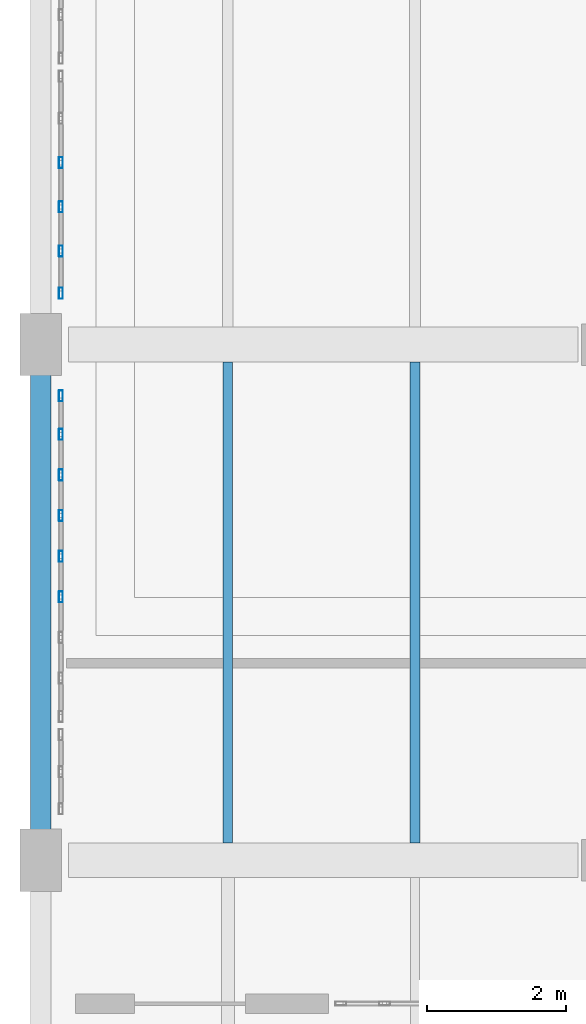
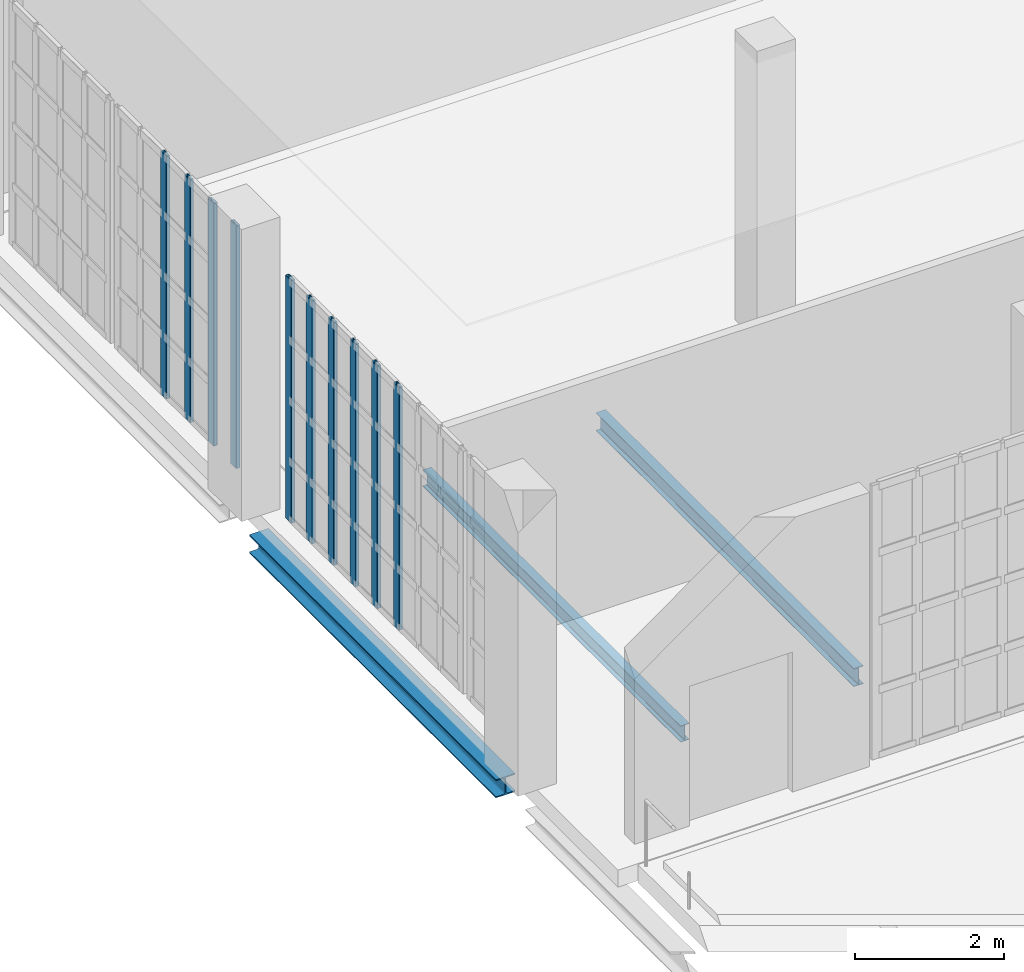
# One storey, part 17 of 104: 10 members, 3 beams, 2 elements without a shape of their own.
"""IFC4 building model written with IfcOpenShell, lengths in metres."""

from ifc_helpers import new_model, si_unit, direction, frame, origin, origin_2d, place, context, subcontext, project, spatial, hollow_rectangle, i_section, extrude, material, material_profile, profile_set, type_object, element, aggregate, save


model = new_model("IFC4")

# Units and contexts
model_context = context("Model", 3, precision=1e-05, world=origin(), true_north=direction((0.0, 1.0)))
body_context = subcontext(model_context, "Body", "Model", "MODEL_VIEW")
ifc_project = project(units=[si_unit("LENGTHUNIT", "METRE"), si_unit("AREAUNIT", "SQUARE_METRE"), si_unit("VOLUMEUNIT", "CUBIC_METRE"), si_unit("PLANEANGLEUNIT", "RADIAN"), si_unit("MASSUNIT", "GRAM", prefix="KILO")], contexts=[model_context])

# Site, building, storey
site_placement = place(None, origin())
site = spatial("IfcSite", under=ifc_project, at=site_placement, CompositionType="ELEMENT")
building_placement = place(site_placement, origin())
building = spatial("IfcBuilding", under=site, at=building_placement, Name="Kaelora Sail Theatre", CompositionType="ELEMENT")
storey_placement = place(building_placement, frame((0.0, 0.0, 5.39990234375)))
storey = spatial("IfcBuildingStorey", under=building, at=storey_placement, Name="L01", CompositionType="ELEMENT", Elevation=5.39990234375)

# Curtain wall, members
ifc_material_1 = material(Name="Anodised aluminium and solar-control low-E IGU", Category="aluminium")
curtain_wall_type = type_object("IfcCurtainWallType", Name="ARC-CW-CW-PROW", PredefinedType="NOTDEFINED", material=ifc_material_1)
curtain_wall_1_placement = place(storey_placement, origin())
curtain_wall_1 = element("IfcCurtainWall", 1, at=curtain_wall_1_placement, inside=storey, type_object=curtain_wall_type, Name="Glazed Colonnade/Courtyard Curtain Wall FW1-W-L01-02", PredefinedType="NOTDEFINED")
ifc_material_2 = material(Name="Anodised aluminium 6063-T6", Category="aluminium")
ifc_material_profile_1 = material_profile(ifc_material_2, hollow_rectangle(XDim=0.06005859375, YDim=0.159912109375, WallThickness=0.00390625, InnerFilletRadius=0.00390625, OuterFilletRadius=0.008056640625, at=origin_2d()), Name="ALU-MULL 60x160x4")
ifc_profile_set_1 = profile_set([ifc_material_profile_1], Name="Anodised aluminium 6063-T6")
member_type = type_object("IfcMemberType", Name="ARC-MEM-ML-160", PredefinedType="MULLION", material=ifc_profile_set_1)
member_1_placement = place(storey_placement, frame((1.7900390625, 72.2587890625, 0.0), z_axis=(0.0, 0.0, 1.0), x_axis=(-1.0, 0.0, 0.0)))
member_1 = element("IfcMember", 2, at=member_1_placement, type_object=member_type, Name="CW-PROW mullion 4", PredefinedType="MULLION", context=body_context, shape_type="SweptSolid", body=[
    extrude(hollow_rectangle(XDim=0.06005859375, YDim=0.159912109375, WallThickness=0.00390625, InnerFilletRadius=0.00390625, OuterFilletRadius=0.008056640625, at=origin_2d()), origin(), (0.0, 0.0, 1.0), 3.987060546875),
])
member_2_placement = place(storey_placement, frame((1.7900390625, 72.844970703125, 0.0), z_axis=(0.0, 0.0, 1.0), x_axis=(-1.0, 0.0, 0.0)))
member_2 = element("IfcMember", 3, at=member_2_placement, type_object=member_type, Name="CW-PROW mullion 5", PredefinedType="MULLION", context=body_context, shape_type="SweptSolid", body=[
    extrude(hollow_rectangle(XDim=0.06005859375, YDim=0.159912109375, WallThickness=0.00390625, InnerFilletRadius=0.00390625, OuterFilletRadius=0.008056640625, at=origin_2d()), origin(), (0.0, 0.0, 1.0), 3.987060546875),
])
member_3_placement = place(storey_placement, frame((1.7900390625, 73.43115234375, 0.0), z_axis=(0.0, 0.0, 1.0), x_axis=(-1.0, 0.0, 0.0)))
member_3 = element("IfcMember", 4, at=member_3_placement, type_object=member_type, Name="CW-PROW mullion 6", PredefinedType="MULLION", context=body_context, shape_type="SweptSolid", body=[
    extrude(hollow_rectangle(XDim=0.06005859375, YDim=0.159912109375, WallThickness=0.00390625, InnerFilletRadius=0.00390625, OuterFilletRadius=0.008056640625, at=origin_2d()), origin(), (0.0, 0.0, 1.0), 3.987060546875),
])
member_4_placement = place(storey_placement, frame((1.7900390625, 74.017578125, 0.0), z_axis=(0.0, 0.0, 1.0), x_axis=(-1.0, 0.0, 0.0)))
member_4 = element("IfcMember", 5, at=member_4_placement, type_object=member_type, Name="CW-PROW mullion 7", PredefinedType="MULLION", context=body_context, shape_type="SweptSolid", body=[
    extrude(hollow_rectangle(XDim=0.06005859375, YDim=0.159912109375, WallThickness=0.00390625, InnerFilletRadius=0.00390625, OuterFilletRadius=0.008056640625, at=origin_2d()), origin(), (0.0, 0.0, 1.0), 3.987060546875),
])
member_5_placement = place(storey_placement, frame((1.7900390625, 74.603759765625, 0.0), z_axis=(0.0, 0.0, 1.0), x_axis=(-1.0, 0.0, 0.0)))
member_5 = element("IfcMember", 6, at=member_5_placement, type_object=member_type, Name="CW-PROW mullion 8", PredefinedType="MULLION", context=body_context, shape_type="SweptSolid", body=[
    extrude(hollow_rectangle(XDim=0.06005859375, YDim=0.159912109375, WallThickness=0.00390625, InnerFilletRadius=0.00390625, OuterFilletRadius=0.008056640625, at=origin_2d()), origin(), (0.0, 0.0, 1.0), 3.987060546875),
])
member_6_placement = place(storey_placement, frame((1.7900390625, 75.159912109375, 0.0), z_axis=(0.0, 0.0, 1.0), x_axis=(-1.0, 0.0, 0.0)))
member_6 = element("IfcMember", 7, at=member_6_placement, type_object=member_type, Name="CW-PROW mullion 9", PredefinedType="MULLION", context=body_context, shape_type="SweptSolid", body=[
    extrude(hollow_rectangle(XDim=0.06005859375, YDim=0.159912109375, WallThickness=0.00390625, InnerFilletRadius=0.00390625, OuterFilletRadius=0.008056640625, at=origin_2d()), origin(), (0.0, 0.0, 1.0), 3.987060546875),
])
aggregate(curtain_wall_1, [member_1, member_2, member_3, member_4, member_5, member_6])

curtain_wall_2_placement = place(storey_placement, origin())
curtain_wall_2 = element("IfcCurtainWall", 8, at=curtain_wall_2_placement, inside=storey, type_object=curtain_wall_type, Name="Glazed Colonnade/Courtyard Curtain Wall FW1-W-L01-03", PredefinedType="NOTDEFINED")
member_7_placement = place(storey_placement, frame((1.7900390625, 76.639892578125, 0.0), z_axis=(0.0, 0.0, 1.0), x_axis=(-1.0, 0.0, 0.0)))
member_7 = element("IfcMember", 9, at=member_7_placement, type_object=member_type, Name="CW-PROW mullion 1", PredefinedType="MULLION", context=body_context, shape_type="SweptSolid", body=[
    extrude(hollow_rectangle(XDim=0.06005859375, YDim=0.159912109375, WallThickness=0.00390625, InnerFilletRadius=0.00390625, OuterFilletRadius=0.008056640625, at=origin_2d()), origin(), (0.0, 0.0, 1.0), 3.987060546875),
])
member_8_placement = place(storey_placement, frame((1.7900390625, 77.248046875, 0.0), z_axis=(0.0, 0.0, 1.0), x_axis=(-1.0, 0.0, 0.0)))
member_8 = element("IfcMember", 10, at=member_8_placement, type_object=member_type, Name="CW-PROW mullion 2", PredefinedType="MULLION", context=body_context, shape_type="SweptSolid", body=[
    extrude(hollow_rectangle(XDim=0.06005859375, YDim=0.159912109375, WallThickness=0.00390625, InnerFilletRadius=0.00390625, OuterFilletRadius=0.008056640625, at=origin_2d()), origin(), (0.0, 0.0, 1.0), 3.987060546875),
])
member_9_placement = place(storey_placement, frame((1.7900390625, 77.885986328125, 0.0), z_axis=(0.0, 0.0, 1.0), x_axis=(-1.0, 0.0, 0.0)))
member_9 = element("IfcMember", 11, at=member_9_placement, type_object=member_type, Name="CW-PROW mullion 3", PredefinedType="MULLION", context=body_context, shape_type="SweptSolid", body=[
    extrude(hollow_rectangle(XDim=0.06005859375, YDim=0.159912109375, WallThickness=0.00390625, InnerFilletRadius=0.00390625, OuterFilletRadius=0.008056640625, at=origin_2d()), origin(), (0.0, 0.0, 1.0), 3.987060546875),
])
member_10_placement = place(storey_placement, frame((1.7900390625, 78.52392578125, 0.0), z_axis=(0.0, 0.0, 1.0), x_axis=(-1.0, 0.0, 0.0)))
member_10 = element("IfcMember", 12, at=member_10_placement, type_object=member_type, Name="CW-PROW mullion 4", PredefinedType="MULLION", context=body_context, shape_type="SweptSolid", body=[
    extrude(hollow_rectangle(XDim=0.06005859375, YDim=0.159912109375, WallThickness=0.00390625, InnerFilletRadius=0.00390625, OuterFilletRadius=0.008056640625, at=origin_2d()), origin(), (0.0, 0.0, 1.0), 3.987060546875),
])
aggregate(curtain_wall_2, [member_7, member_8, member_9, member_10])

# Beams
ifc_material_3 = material(Name="Steel S355", Category="steel")
ifc_material_profile_2 = material_profile(ifc_material_3, i_section(OverallWidth=0.135009765625, OverallDepth=0.27001953125, WebThickness=0.006591796875, FlangeThickness=0.01025390625, FilletRadius=0.014892578125, at=origin_2d()), Name="IPE 270")
ifc_profile_set_2 = profile_set([ifc_material_profile_2], Name="Steel S355")
beam_type_1 = type_object("IfcBeamType", Name="STR-BM-JS-IPE270", PredefinedType="JOIST", material=ifc_profile_set_2)
beam_1_placement = place(storey_placement, frame((4.199951171875, 68.7099609375, -0.429931640625), z_axis=(0.0, 1.0, 0.0), x_axis=(-1.0, 0.0, 0.0)))
element("IfcBeam", 13, at=beam_1_placement, inside=storey, type_object=beam_type_1, Name="Secondary floor joist 1/J-1 (L01)", PredefinedType="JOIST", context=body_context, shape_type="SweptSolid", body=[
    extrude(i_section(OverallWidth=0.135009765625, OverallDepth=0.27001953125, WebThickness=0.006591796875, FlangeThickness=0.01025390625, FilletRadius=0.014892578125, at=origin_2d()), origin(), (0.0, 0.0, 1.0), 6.93994140625),
])
ifc_material_4 = material(Name="Steel S355", Category="steel")
ifc_material_profile_3 = material_profile(ifc_material_4, i_section(OverallWidth=0.14990234375, OverallDepth=0.300048828125, WebThickness=0.007080078125, FlangeThickness=0.0107421875, FilletRadius=0.014892578125, at=origin_2d()), Name="IPE 300")
ifc_profile_set_3 = profile_set([ifc_material_profile_3], Name="Steel S355")
beam_type_2 = type_object("IfcBeamType", Name="STR-BM-JS-IPE300", PredefinedType="JOIST", material=ifc_profile_set_3)
beam_2_placement = place(storey_placement, frame((6.89990234375, 68.7099609375, -0.44482421875), z_axis=(0.0, 1.0, 0.0), x_axis=(-1.0, 0.0, 0.0)))
element("IfcBeam", 14, at=beam_2_placement, inside=storey, type_object=beam_type_2, Name="Secondary floor joist 1/J-2 (L01)", PredefinedType="JOIST", context=body_context, shape_type="SweptSolid", body=[
    extrude(i_section(OverallWidth=0.14990234375, OverallDepth=0.300048828125, WebThickness=0.007080078125, FlangeThickness=0.0107421875, FilletRadius=0.014892578125, at=origin_2d()), origin(), (0.0, 0.0, 1.0), 6.93994140625),
])
ifc_material_5 = material(Name="Steel S355", Category="steel")
ifc_material_profile_4 = material_profile(ifc_material_5, i_section(OverallWidth=0.300048828125, OverallDepth=0.300048828125, WebThickness=0.010986328125, FlangeThickness=0.01904296875, FilletRadius=0.027099609375, at=origin_2d()), Name="HEB 300")
ifc_profile_set_4 = profile_set([ifc_material_profile_4], Name="Steel S355")
beam_type_3 = type_object("IfcBeamType", Name="STR-BM-SP-HEB300", PredefinedType="SPANDREL", material=ifc_profile_set_4)
beam_3_placement = place(storey_placement, frame((1.5, 68.860107421875, -0.44482421875), z_axis=(0.0, 1.0, 0.0), x_axis=(-1.0, 0.0, 0.0)))
element("IfcBeam", 15, at=beam_3_placement, inside=storey, type_object=beam_type_3, Name="Primary beam 1 J-K (L01)", PredefinedType="SPANDREL", context=body_context, shape_type="SweptSolid", body=[
    extrude(i_section(OverallWidth=0.300048828125, OverallDepth=0.300048828125, WebThickness=0.010986328125, FlangeThickness=0.01904296875, FilletRadius=0.027099609375, at=origin_2d()), origin(), (0.0, 0.0, 1.0), 6.639892578125),
])

save(model, "model.ifc")
